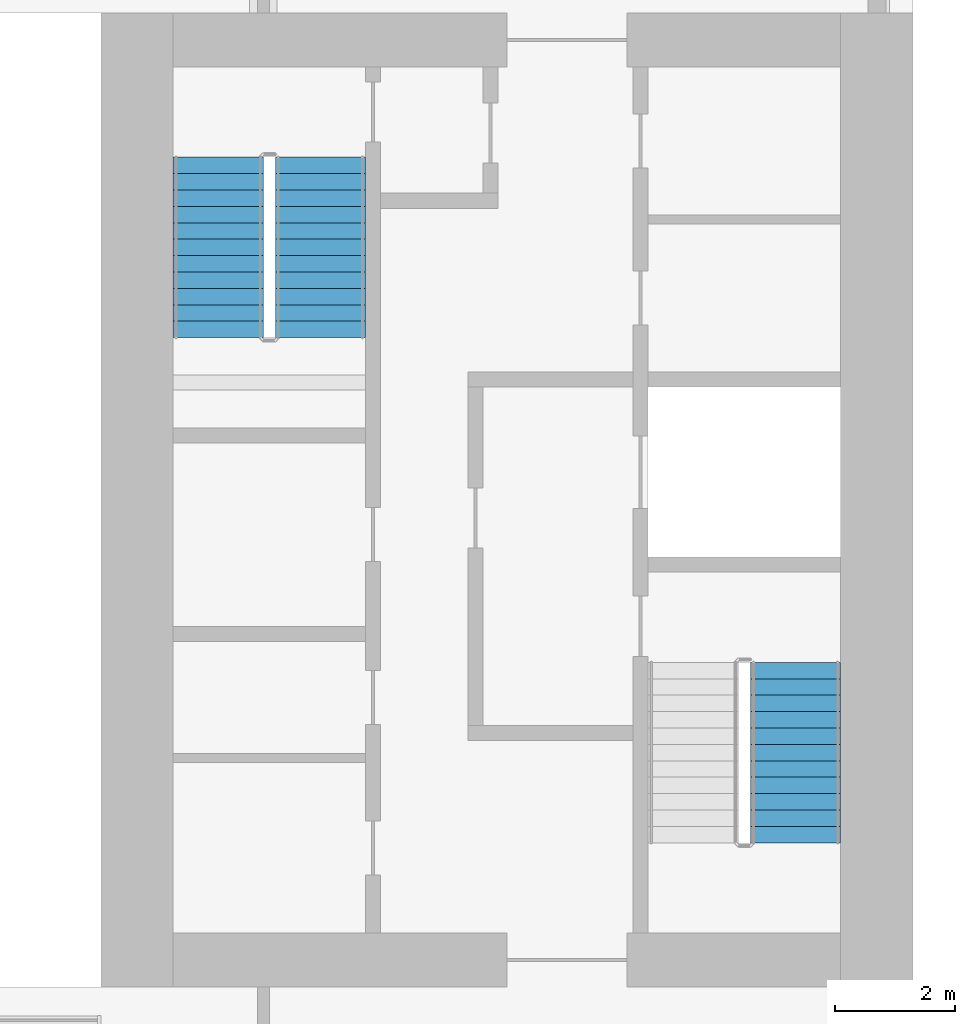
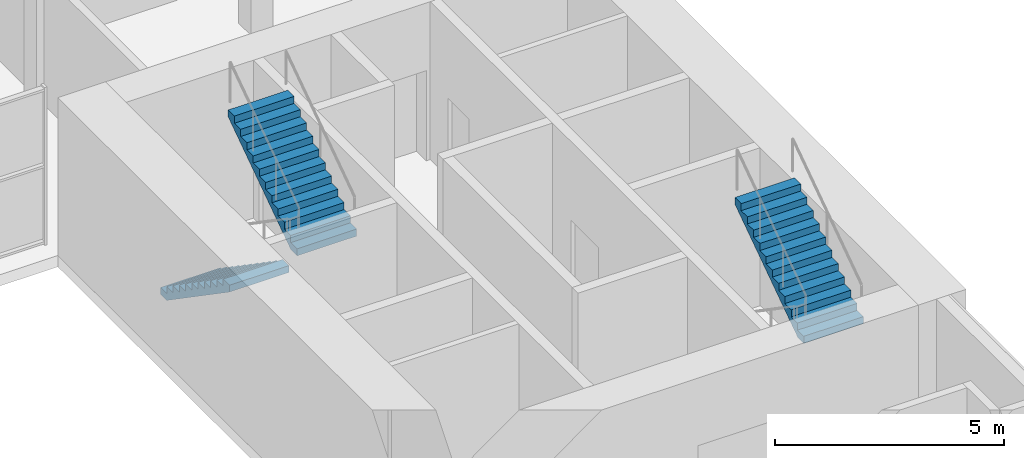
# One storey, part 7 of 9: 3 stair flights, 2 elements without a shape of their own.
"""IFC4 building model written with IfcOpenShell, lengths in metres."""

from ifc_helpers import new_model, si_unit, direction, frame, origin, place, context, subcontext, project, spatial, polyline, outline, extrude, material, type_object, element, aggregate, save


model = new_model("IFC4")

# Units and contexts
model_context = context("Model", 3, precision=1e-05, world=origin(), true_north=direction((0.0, 1.0)))
body_context = subcontext(model_context, "Body", "Model", "MODEL_VIEW")
ifc_project = project(units=[si_unit("LENGTHUNIT", "METRE"), si_unit("AREAUNIT", "SQUARE_METRE"), si_unit("VOLUMEUNIT", "CUBIC_METRE"), si_unit("PLANEANGLEUNIT", "RADIAN"), si_unit("MASSUNIT", "GRAM", prefix="KILO")], contexts=[model_context])

# Site, building, storey
site_placement = place(None, origin())
site = spatial("IfcSite", under=ifc_project, at=site_placement, CompositionType="ELEMENT")
building_placement = place(site_placement, origin())
building = spatial("IfcBuilding", under=site, at=building_placement, Name="Tabaq Tower and Sports Hall", CompositionType="ELEMENT")
storey_placement = place(building_placement, frame((0.0, 0.0, 326.199951171875)))
storey = spatial("IfcBuildingStorey", under=building, at=storey_placement, Name="L81", CompositionType="ELEMENT", Elevation=326.199951171875)

# Stair, stair flight
ifc_material_1 = material(Name="Concrete C40/50", Category="concrete")
stair_type = type_object("IfcStairType", Name="Exit stair", PredefinedType="HALF_TURN_STAIR", material=ifc_material_1)
stair_1_placement = place(storey_placement, origin())
stair_1 = element("IfcStair", 1, at=stair_1_placement, inside=storey, type_object=stair_type, Name="L81 Exit stair ST3", PredefinedType="HALF_TURN_STAIR")
ifc_material_2 = material(Name="Concrete C40/50", Category="concrete")
stair_flight_type = type_object("IfcStairFlightType", Name="Exit stair flight", PredefinedType="STRAIGHT", material=ifc_material_2)
stair_flight_1_placement = place(storey_placement, frame((41.25, 18.60009765625, 2.25), z_axis=(0.0, 0.0, 1.0), x_axis=(0.0, 1.0, 0.0)))
stair_flight_1 = element("IfcStairFlight", 2, at=stair_flight_1_placement, type_object=stair_flight_type, Name="ST3 flight 2", NumberOfRisers=12, NumberOfTreads=11, PredefinedType="STRAIGHT", RiserHeight=0.1875, TreadLength=0.272727273, context=body_context, shape_type="SweptSolid", body=[
    extrude(outline(polyline([(0.0, 0.0), (0.0, 0.1875), (0.272705078125, 0.1875), (0.272705078125, 0.375), (0.54541015625, 0.375), (0.54541015625, 0.5625), (0.818115234375, 0.5625), (0.818115234375, 0.75), (1.0908203125, 0.75), (1.0908203125, 0.9375), (1.363525390625, 0.9375), (1.363525390625, 1.125), (1.636474609375, 1.125), (1.636474609375, 1.3125), (1.9091796875, 1.3125), (1.9091796875, 1.5), (2.181884765625, 1.5), (2.181884765625, 1.6875), (2.45458984375, 1.6875), (2.45458984375, 1.875), (2.727294921875, 1.875), (2.727294921875, 2.0625), (3.0, 2.0625), (3.0, 2.25), (3.0, 1.880615234375), (0.2646484375, 0.0), (0.0, 0.0)])), frame((0.0, 0.75, 0.0), z_axis=(0.0, -1.0, 0.0), x_axis=(1.0, 0.0, 0.0)), (0.0, 0.0, 1.0), 1.5),
])
aggregate(stair_1, [stair_flight_1])

# Stair, stair flights
stair_2_placement = place(storey_placement, origin())
stair_2 = element("IfcStair", 3, at=stair_2_placement, inside=storey, type_object=stair_type, Name="L81 Exit stair ST4", PredefinedType="HALF_TURN_STAIR")
stair_flight_2_placement = place(storey_placement, frame((31.64990234375, 30.0, 0.0), z_axis=(0.0, 0.0, 1.0), x_axis=(0.0, -1.0, 0.0)))
stair_flight_2 = element("IfcStairFlight", 4, at=stair_flight_2_placement, type_object=stair_flight_type, Name="ST4 flight 1", NumberOfRisers=12, NumberOfTreads=11, PredefinedType="STRAIGHT", RiserHeight=0.1875, TreadLength=0.272727273, context=body_context, shape_type="SweptSolid", body=[
    extrude(outline(polyline([(0.0, 0.0), (0.0, 0.1875), (0.272705078125, 0.1875), (0.272705078125, 0.375), (0.54541015625, 0.375), (0.54541015625, 0.5625), (0.818115234375, 0.5625), (0.818115234375, 0.75), (1.0908203125, 0.75), (1.0908203125, 0.9375), (1.363525390625, 0.9375), (1.363525390625, 1.125), (1.636474609375, 1.125), (1.636474609375, 1.3125), (1.9091796875, 1.3125), (1.9091796875, 1.5), (2.181884765625, 1.5), (2.181884765625, 1.6875), (2.45458984375, 1.6875), (2.45458984375, 1.875), (2.727294921875, 1.875), (2.727294921875, 2.0625), (3.0, 2.0625), (3.0, 2.25), (3.0, 1.880615234375), (0.2646484375, 0.0), (0.0, 0.0)])), frame((0.0, 0.75, 0.0), z_axis=(0.0, -1.0, 0.0), x_axis=(1.0, 0.0, 0.0)), (0.0, 0.0, 1.0), 1.5),
])
stair_flight_3_placement = place(storey_placement, frame((33.35009765625, 27.0, 2.25), z_axis=(0.0, 0.0, 1.0), x_axis=(0.0, 1.0, 0.0)))
stair_flight_3 = element("IfcStairFlight", 5, at=stair_flight_3_placement, type_object=stair_flight_type, Name="ST4 flight 2", NumberOfRisers=12, NumberOfTreads=11, PredefinedType="STRAIGHT", RiserHeight=0.1875, TreadLength=0.272727273, context=body_context, shape_type="SweptSolid", body=[
    extrude(outline(polyline([(0.0, 0.0), (0.0, 0.1875), (0.272705078125, 0.1875), (0.272705078125, 0.375), (0.54541015625, 0.375), (0.54541015625, 0.5625), (0.818115234375, 0.5625), (0.818115234375, 0.75), (1.0908203125, 0.75), (1.0908203125, 0.9375), (1.363525390625, 0.9375), (1.363525390625, 1.125), (1.636474609375, 1.125), (1.636474609375, 1.3125), (1.9091796875, 1.3125), (1.9091796875, 1.5), (2.181884765625, 1.5), (2.181884765625, 1.6875), (2.45458984375, 1.6875), (2.45458984375, 1.875), (2.727294921875, 1.875), (2.727294921875, 2.0625), (3.0, 2.0625), (3.0, 2.25), (3.0, 1.880615234375), (0.2646484375, 0.0), (0.0, 0.0)])), frame((0.0, 0.75, 0.0), z_axis=(0.0, -1.0, 0.0), x_axis=(1.0, 0.0, 0.0)), (0.0, 0.0, 1.0), 1.5),
])
aggregate(stair_2, [stair_flight_2, stair_flight_3])

save(model, "model.ifc")
